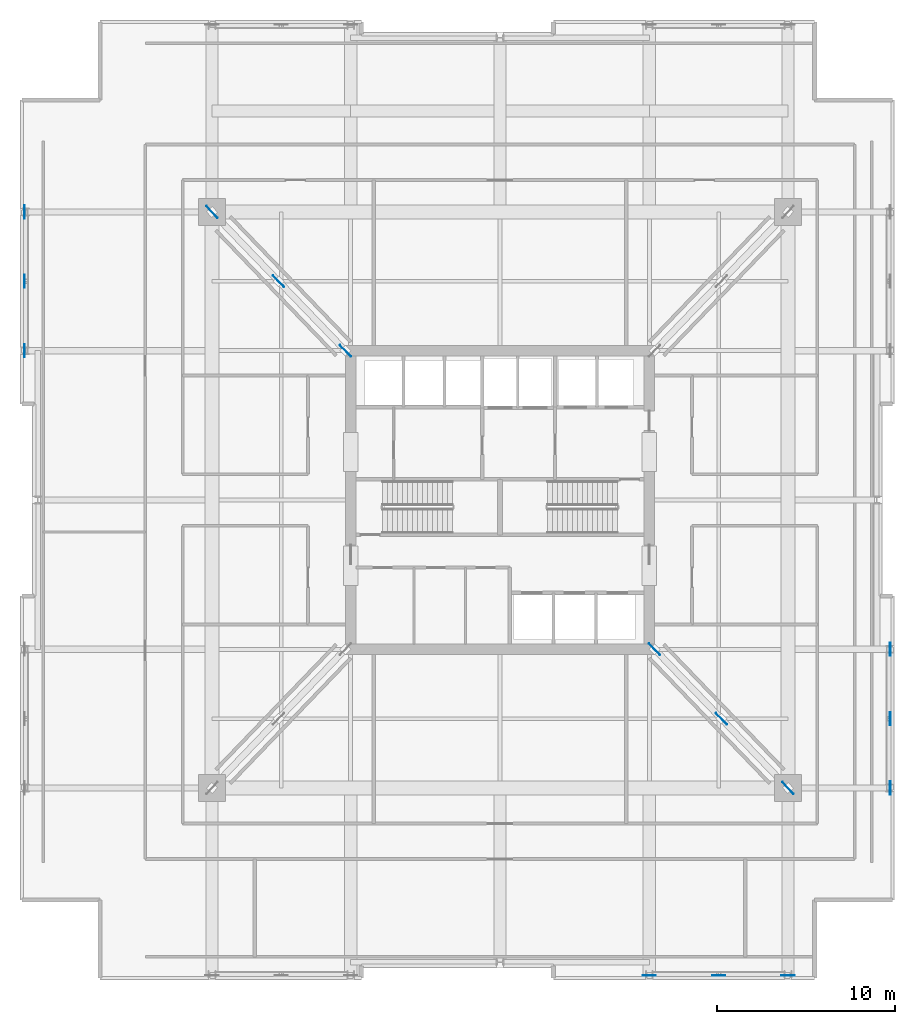
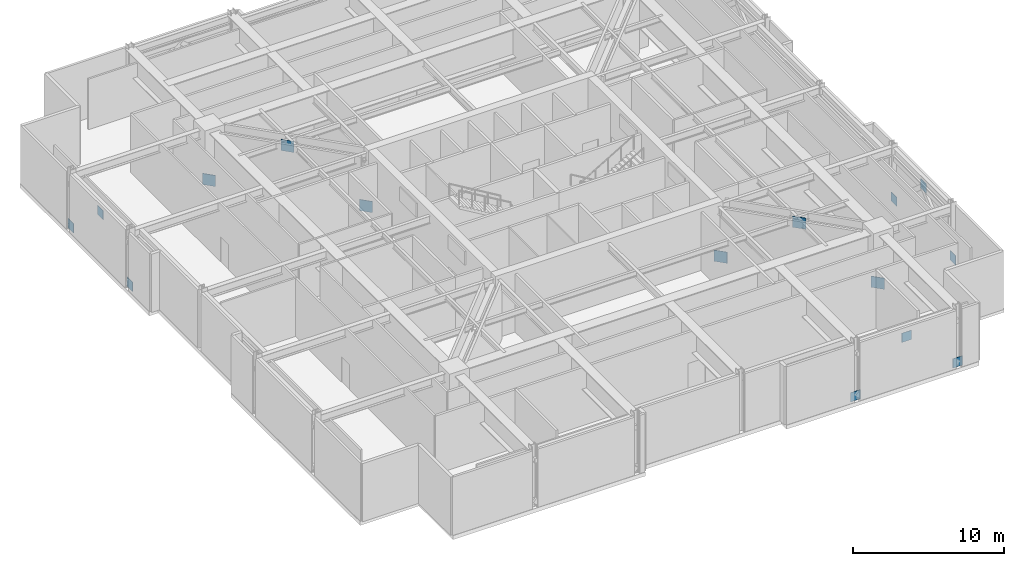
# One storey, part 5 of 13: 15 plates.
"""IFC4 building model written with IfcOpenShell, lengths in metres."""

import ifcopenshell
import ifcopenshell.guid

model = None  # the IFC model being written
_history = None  # IfcOwnerHistory: only IFC2X3 demands one
_inside = {}  # id of a spatial element -> (the spatial element, [elements in it])
_under = {}  # id of a project, library or spatial element -> (it, [spatial elements below it])
_declared = {}  # id of a project -> (the project, [libraries it declares])
_typed = {}  # id of a type object -> (the type object, [elements of that type])
_made_of = {}  # id of a material, layer set ... -> (it, [elements and type objects made of it])


def new_model(schema):
    """Start an empty IFC model of exactly this schema.

    Asked for "IFC4X3", IfcOpenShell would pick the latest addendum, in which some entities
    have other attributes; the version numbers below select the first issue.
    IFC2X3 requires an IfcOwnerHistory on every rooted entity: one is made here for all.
    """
    global model, _history
    if schema == "IFC4X3":
        model = ifcopenshell.file(schema_version=(4, 3, 0, 0))
    else:
        model = ifcopenshell.file(schema=schema)
    _inside.clear()
    _under.clear()
    _declared.clear()
    _typed.clear()
    _made_of.clear()
    _history = None
    if model.schema == "IFC2X3":
        org = make("IfcOrganization", Name="unknown")
        user = make(
            "IfcPersonAndOrganization",
            ThePerson=make("IfcPerson", FamilyName="unknown"),
            TheOrganization=org,
        )
        app = make(
            "IfcApplication",
            ApplicationDeveloper=org,
            Version="unknown",
            ApplicationFullName="unknown",
            ApplicationIdentifier="unknown",
        )
        _history = make(
            "IfcOwnerHistory",
            OwningUser=user,
            OwningApplication=app,
            ChangeAction="ADDED",
            CreationDate=0,
        )
    return model


def make(cls, **values):
    """One entity of the class cls with the attributes given. An attribute that is None is left unset."""
    return model.create_entity(
        cls, **{name: value for name, value in values.items() if value is not None}
    )


def rooted(cls, **values):
    """An entity with a GlobalId (a new one), such as an element, a storey or a relation."""
    return make(cls, GlobalId=ifcopenshell.guid.new(), OwnerHistory=_history, **values)


def si_unit(unit_type, name, prefix=None):
    """IfcSIUnit, for example si_unit("LENGTHUNIT", "METRE", prefix="MILLI")."""
    return make("IfcSIUnit", UnitType=unit_type, Prefix=prefix, Name=name)


def assignment(units):
    """IfcUnitAssignment: the units of a project."""
    return None if units is None else make("IfcUnitAssignment", Units=units)


def point(xyz):
    """IfcCartesianPoint."""
    return None if xyz is None else make("IfcCartesianPoint", Coordinates=xyz)


def direction(xyz):
    """IfcDirection."""
    return None if xyz is None else make("IfcDirection", DirectionRatios=xyz)


def frame(location, z_axis=None, x_axis=None):
    """IfcAxis2Placement3D, a coordinate frame: its origin and axes. An axis left out is left unset."""
    return make(
        "IfcAxis2Placement3D",
        Location=point(location),
        Axis=direction(z_axis),
        RefDirection=direction(x_axis),
    )


def frame_2d(location, x_axis=None):
    """IfcAxis2Placement2D, a coordinate frame in the plane: its origin and x axis."""
    return make(
        "IfcAxis2Placement2D", Location=point(location), RefDirection=direction(x_axis)
    )


def origin():
    """The frame at (0, 0, 0) with its axes left unset."""
    return frame((0.0, 0.0, 0.0))


def origin_2d():
    """The frame at (0, 0) in the plane with its x axis left unset."""
    return frame_2d((0.0, 0.0))


def place(relative_to, where):
    """IfcLocalPlacement: puts the frame where relative to a parent placement (None: the world)."""
    return make(
        "IfcLocalPlacement", PlacementRelTo=relative_to, RelativePlacement=where
    )


def context(
    kind, dimensions, precision=None, world=None, true_north=None, identifier=None
):
    """IfcGeometricRepresentationContext, for example the 3D "Model" context."""
    return make(
        "IfcGeometricRepresentationContext",
        ContextIdentifier=identifier,
        ContextType=kind,
        CoordinateSpaceDimension=dimensions,
        Precision=precision,
        WorldCoordinateSystem=world,
        TrueNorth=true_north,
    )


def subcontext(parent, identifier, kind, view, scale=None):
    """IfcGeometricRepresentationSubContext, for example "Body" below "Model"."""
    return make(
        "IfcGeometricRepresentationSubContext",
        ContextIdentifier=identifier,
        ContextType=kind,
        ParentContext=parent,
        TargetScale=scale,
        TargetView=view,
    )


def project(units=None, contexts=None):
    """IfcProject with its units and contexts."""
    return rooted(
        "IfcProject",
        Name="project",
        RepresentationContexts=contexts,
        UnitsInContext=assignment(units),
    )


def spatial(cls, under=None, at=None, **own):
    """A site, building, storey or space (cls), placed at a placement, below another one or the project."""
    s = rooted(cls, ObjectPlacement=at, **own)
    if under is not None:
        _under.setdefault(under.id(), (under, []))[1].append(s)
    return s


def profile(cls, at=None, kind="AREA", **sizes):
    """A parametric profile (cls). Its sizes go by their IFC names, for example OverallWidth=200.0."""
    return make(cls, ProfileType=kind, Position=at, **sizes)


def rectangle(**sizes):
    """IfcRectangleProfileDef."""
    return profile("IfcRectangleProfileDef", **sizes)


def extrude(swept, where, along, depth):
    """IfcExtrudedAreaSolid: the profile swept, set in the frame where, extruded along a direction by depth."""
    return make(
        "IfcExtrudedAreaSolid",
        SweptArea=swept,
        Position=where,
        ExtrudedDirection=direction(along),
        Depth=depth,
    )


def shape(context_of_items, identifier, shape_type, items):
    """IfcShapeRepresentation: the items that make up one representation, for example the "Body"."""
    return make(
        "IfcShapeRepresentation",
        ContextOfItems=context_of_items,
        RepresentationIdentifier=identifier,
        RepresentationType=shape_type,
        Items=items,
    )


def material(Name=None, Category=None):
    """IfcMaterial."""
    return make("IfcMaterial", Name=Name, Category=Category)


def layer(
    of_material, thickness, ventilated=None, Name=None, Category=None, Priority=None
):
    """IfcMaterialLayer: one layer of a wall or slab, of a material (None: an air gap)."""
    return make(
        "IfcMaterialLayer",
        Material=of_material,
        LayerThickness=thickness,
        IsVentilated=ventilated,
        Name=Name,
        Category=Category,
        Priority=Priority,
    )


def layer_set(layers, Name=None):
    """IfcMaterialLayerSet."""
    return make("IfcMaterialLayerSet", MaterialLayers=layers, LayerSetName=Name)


def made_of(thing, what):
    """Note that an element or type object is made of a material, layer set ...; save() writes the relation."""
    if what is not None:
        _made_of.setdefault(what.id(), (what, []))[1].append(thing)
    return thing


def type_object(cls, material=None, **own):
    """A type object (cls), such as IfcWallType, which elements share."""
    return made_of(rooted(cls, **own), material)


def element(
    cls,
    number,
    at=None,
    inside=None,
    cuts=None,
    type_object=None,
    material=None,
    context=None,
    identifier="Body",
    shape_type=None,
    held_by="IfcProductDefinitionShape",
    body=None,
    shapes=None,
    **own,
):
    """One element of the class cls, such as IfcWall. Its Tag is "e" and its number.

    at: its placement. inside: the storey or other place that contains it. cuts: it is an
    opening in that element (IfcRelVoidsElement). A single representation is given by context,
    identifier, shape_type and body (its items); several are given by shapes. held_by: the class
    of the entity that holds the representations. save() writes the other relations.
    """
    e = rooted(cls, Tag="e%d" % number, ObjectPlacement=at, **own)
    if body is not None:
        shapes = [shape(context, identifier, shape_type, body)]
    if shapes is not None:
        e.Representation = make(held_by, Representations=shapes)
    if inside is not None:
        _inside.setdefault(inside.id(), (inside, []))[1].append(e)
    if cuts is not None:
        rooted(
            "IfcRelVoidsElement", RelatingBuildingElement=cuts, RelatedOpeningElement=e
        )
    if type_object is not None:
        _typed.setdefault(type_object.id(), (type_object, []))[1].append(e)
    return made_of(e, material)


def aggregate(whole, parts):
    """IfcRelAggregates: a whole, such as a stair, and the parts it consists of."""
    return rooted("IfcRelAggregates", RelatingObject=whole, RelatedObjects=parts)


def save(model, path):
    """Write the relations noted so far, then the file.

    IfcRelAggregates (storeys below a building ...), IfcRelContainedInSpatialStructure (elements
    in a storey), IfcRelDefinesByType, IfcRelAssociatesMaterial and IfcRelDeclares: one each for
    every whole, place, type object, material and project.
    """
    for whole, parts in _under.values():
        aggregate(whole, parts)
    for where, things in _inside.values():
        rooted(
            "IfcRelContainedInSpatialStructure",
            RelatedElements=things,
            RelatingStructure=where,
        )
    for kind, things in _typed.values():
        rooted("IfcRelDefinesByType", RelatedObjects=things, RelatingType=kind)
    for what, things in _made_of.values():
        rooted("IfcRelAssociatesMaterial", RelatedObjects=things, RelatingMaterial=what)
    for by, libraries in _declared.values():
        rooted("IfcRelDeclares", RelatingContext=by, RelatedDefinitions=libraries)
    model.write(path)


model = new_model("IFC4")

# Units and contexts
model_context = context("Model", 3, precision=1e-05, world=origin(), true_north=direction((0.0, 1.0)))
body_context = subcontext(model_context, "Body", "Model", "MODEL_VIEW")
ifc_project = project(units=[si_unit("LENGTHUNIT", "METRE"), si_unit("AREAUNIT", "SQUARE_METRE"), si_unit("VOLUMEUNIT", "CUBIC_METRE"), si_unit("PLANEANGLEUNIT", "RADIAN"), si_unit("MASSUNIT", "GRAM", prefix="KILO")], contexts=[model_context])

# Site, building, storey
site_placement = place(None, origin())
site = spatial("IfcSite", under=ifc_project, at=site_placement, CompositionType="ELEMENT")
building_placement = place(site_placement, origin())
building = spatial("IfcBuilding", under=site, at=building_placement, Name="Drelvath Grand Hotel", CompositionType="ELEMENT")
storey_placement = place(building_placement, frame((0.0, 0.0, 140.800048828125)))
storey = spatial("IfcBuildingStorey", under=building, at=storey_placement, Name="L36", CompositionType="ELEMENT", Elevation=140.800048828125)

# Plates
ifc_material = material(Name="Steel ASTM A572 Gr 50", Category="steel")
ifc_layer_1 = layer(ifc_material, 0.031982421875)
ifc_layer_set_1 = layer_set([ifc_layer_1], Name="Steel ASTM A572 Gr 50")
plate_type_1 = type_object("IfcPlateType", Name="Belt Truss Node Gusset Plate 32mm", PredefinedType="USERDEFINED", material=ifc_layer_set_1)
for number, where, z_axis, x_axis, name in (
    (1, (-26.75, 35.39990234375, -0.025146484375), (0.0, 0.0, 1.0), (0.0, 1.0, 0.0), "L36 Belt Truss Start Gusset BW-N"),
    (2, (-26.75, 39.300048828125, 3.405029296875), (0.0, 0.0, 1.0), (0.0, 1.0, 0.0), "L36 Belt Truss Apex Gusset BW-N"),
    (3, (-26.75, 43.199951171875, -0.025146484375), (0.0, 0.0, 1.0), (0.0, 1.0, 0.0), "L36 Belt Truss End Gusset BW-N"),
    (4, (21.949951171875, 10.800048828125, -0.025146484375), (0.0, 0.0, 1.0), (0.0, 1.0, 0.0), "L36 Belt Truss Start Gusset BE-S"),
    (5, (21.949951171875, 14.699951171875, 3.405029296875), (0.0, 0.0, 1.0), (0.0, 1.0, 0.0), "L36 Belt Truss Apex Gusset BE-S"),
    (6, (21.949951171875, 18.60009765625, -0.025146484375), (0.0, 0.0, 1.0), (0.0, 1.0, 0.0), "L36 Belt Truss End Gusset BE-S"),
    (7, (8.39990234375, 0.25, -0.025146484375), (0.0, 0.0, 1.0), (1.0, 0.0, 0.0), "L36 Belt Truss Start Gusset BS-E"),
    (8, (12.300048828125, 0.25, 3.405029296875), (0.0, 0.0, 1.0), (1.0, 0.0, 0.0), "L36 Belt Truss Apex Gusset BS-E"),
    (9, (16.199951171875, 0.25, -0.025146484375), (0.0, 0.0, 1.0), (1.0, 0.0, 0.0), "L36 Belt Truss End Gusset BS-E"),
):
    element("IfcPlate", number, at=place(storey_placement, frame(where, z_axis=z_axis, x_axis=x_axis)), inside=storey, type_object=plate_type_1, Name=name, ObjectType="GUSSET_PLATE", PredefinedType="USERDEFINED", context=body_context, shape_type="SweptSolid", body=[
        extrude(rectangle(XDim=0.75, YDim=0.031982421875, at=origin_2d()), origin(), (0.0, 0.0, 1.0), 0.75),
    ])
ifc_layer_2 = layer(ifc_material, 0.0400390625)
ifc_layer_set_2 = layer_set([ifc_layer_2], Name="Steel ASTM A572 Gr 50")
plate_type_2 = type_object("IfcPlateType", Name="Outrigger Node Gusset Plate 40mm", PredefinedType="USERDEFINED", material=ifc_layer_set_2)
for number, where, z_axis, x_axis, name in (
    (10, (8.699951171875, 18.60009765625, -0.10009765625), (0.0, 0.0, 1.0), (0.693108716253, -0.720833064901, 0.0), "L36 Outrigger Node Gusset SE-1"),
    (11, (12.449951171875, 14.699951171875, 3.699951171875), (0.0, 0.0, 1.0), (0.693108716253, -0.720833064901, 0.0), "L36 Outrigger Node Gusset SE-2"),
    (12, (16.199951171875, 10.800048828125, -0.10009765625), (0.0, 0.0, 1.0), (0.693108716253, -0.720833064901, 0.0), "L36 Outrigger Node Gusset SE-3"),
    (13, (-8.699951171875, 35.39990234375, -0.10009765625), (0.0, 0.0, 1.0), (-0.693108716253, 0.720833064901, 0.0), "L36 Outrigger Node Gusset NW-1"),
    (14, (-12.449951171875, 39.300048828125, 3.699951171875), (0.0, 0.0, 1.0), (-0.693108716253, 0.720833064901, 0.0), "L36 Outrigger Node Gusset NW-2"),
    (15, (-16.199951171875, 43.199951171875, -0.10009765625), (0.0, 0.0, 1.0), (-0.693108716253, 0.720833064901, 0.0), "L36 Outrigger Node Gusset NW-3"),
):
    element("IfcPlate", number, at=place(storey_placement, frame(where, z_axis=z_axis, x_axis=x_axis)), inside=storey, type_object=plate_type_2, Name=name, ObjectType="GUSSET_PLATE", PredefinedType="USERDEFINED", context=body_context, shape_type="SweptSolid", body=[
        extrude(rectangle(XDim=0.89990234375, YDim=0.0400390625, at=origin_2d()), origin(), (0.0, 0.0, 1.0), 0.89990234375),
    ])

save(model, "model.ifc")
